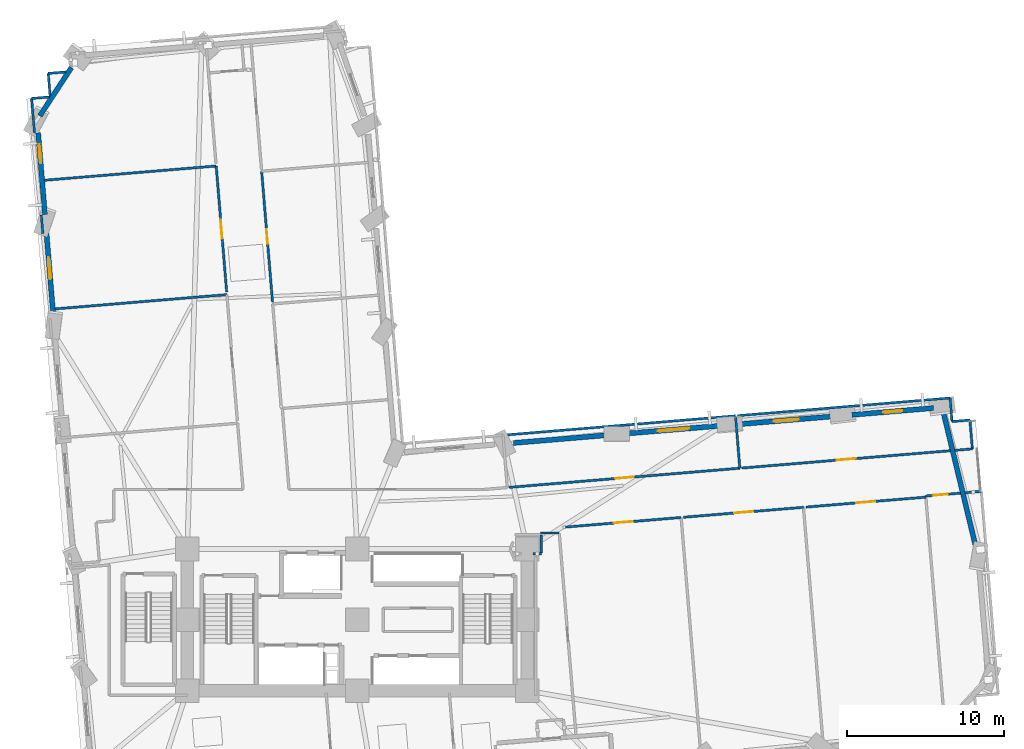
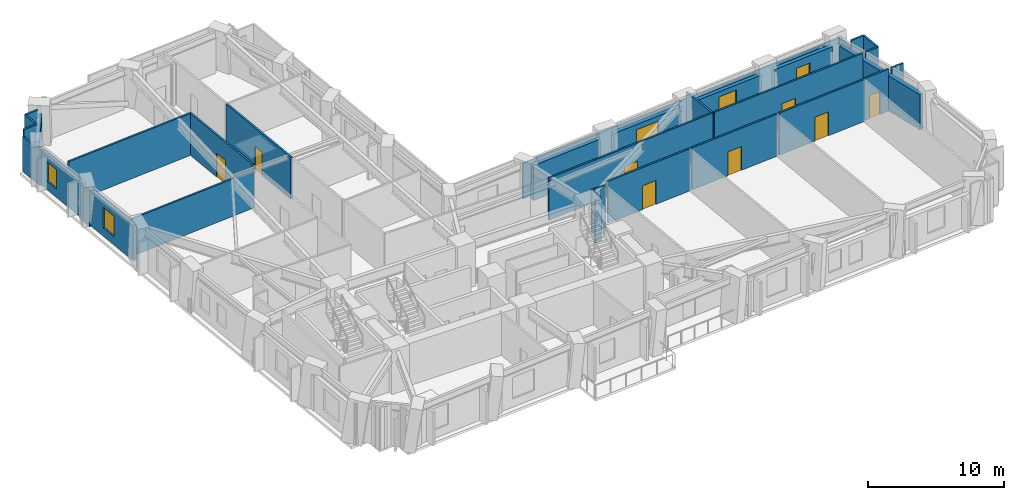
# One storey, part 9 of 14: 34 walls, 8 doors, 5 windows, 13 openings.
"""IFC4 building model written with IfcOpenShell, lengths in metres."""

from ifc_helpers import new_model, si_unit, direction, frame, frame_2d, origin, place, context, subcontext, project, spatial, rectangle, extrude, material, layer, layer_set, type_object, element, fill, save


model = new_model("IFC4")

# Units and contexts
model_context = context("Model", 3, precision=1e-05, world=origin(), true_north=direction((0.0, 1.0)))
body_context = subcontext(model_context, "Body", "Model", "MODEL_VIEW")
ifc_project = project(units=[si_unit("LENGTHUNIT", "METRE"), si_unit("AREAUNIT", "SQUARE_METRE"), si_unit("VOLUMEUNIT", "CUBIC_METRE"), si_unit("PLANEANGLEUNIT", "RADIAN"), si_unit("MASSUNIT", "GRAM", prefix="KILO")], contexts=[model_context])

# Site, building, storey
site_placement = place(None, origin())
site = spatial("IfcSite", under=ifc_project, at=site_placement, CompositionType="ELEMENT")
building_placement = place(site_placement, origin())
building = spatial("IfcBuilding", under=site, at=building_placement, Name="Gaonmaruhae Medical Tower", CompositionType="ELEMENT")
storey_placement = place(building_placement, frame((0.0, 0.0, 43.0)))
storey = spatial("IfcBuildingStorey", under=building, at=storey_placement, Name="L09", CompositionType="ELEMENT", Elevation=43.0)

# Wall
ifc_material_1 = material(Name="Precast concrete C45/55", Category="concrete")
ifc_layer_1 = layer(ifc_material_1, 0.320068359375)
ifc_layer_set_1 = layer_set([ifc_layer_1], Name="Precast concrete C45/55")
wall_type_1 = type_object("IfcWallType", Name="EW-320 Lower Precast Masonry-Frame Facade Wall", PredefinedType="SOLIDWALL", material=ifc_layer_set_1)
wall_1_placement = place(storey_placement, frame((62.05224609375, 25.4375, 0.0), z_axis=(0.0, 0.0, 1.0), x_axis=(0.234137183884, -0.972203568767, 0.0)))
element("IfcWall", 1, at=wall_1_placement, inside=storey, type_object=wall_type_1, Name="L09 Precast Masonry-Frame Wall E02-E03", PredefinedType="SOLIDWALL", context=body_context, shape_type="SweptSolid", body=[
    extrude(rectangle(XDim=8.614013671875, YDim=0.320068359375, at=frame_2d((4.30712890625, 0.0))), origin(), (0.0, 0.0, 1.0), 3.1650390625),
])

# Wall, opening, window
wall_2_placement = place(storey_placement, frame((56.2236328125, 25.3251953125, 0.0), z_axis=(0.0, 0.0, 1.0), x_axis=(0.996565124027, 0.08281276214, 0.0)))
wall_2 = element("IfcWall", 2, at=wall_2_placement, inside=storey, type_object=wall_type_1, Name="L09 Precast Masonry-Frame Wall E03-EN01", PredefinedType="SOLIDWALL", context=body_context, shape_type="SweptSolid", body=[
    extrude(rectangle(XDim=5.209228515625, YDim=0.320068359375, at=frame_2d((2.6044921875, 0.0))), origin(), (0.0, 0.0, 1.0), 3.1650390625),
])
opening_1_placement = place(wall_2_placement, frame((2.000244140625, 0.0, 0.75)))
opening_1 = element("IfcOpeningElement", 3, at=opening_1_placement, cuts=wall_2, Name="Opening WN-05", PredefinedType="OPENING", context=body_context, shape_type="SweptSolid", body=[
    extrude(rectangle(XDim=1.199951171875, YDim=1.75, at=frame_2d((0.60009765625, 0.875))), frame((0.0, 0.169921875, 0.0), z_axis=(0.0, -1.0, 0.0), x_axis=(1.0, 0.0, 0.0)), (0.0, 0.0, 1.0), 0.340087890625),
])
ifc_material_2 = material(Name="Anodised aluminium and Low-E double glazing", Category="aluminium")
window_type_1 = type_object("IfcWindowType", Name="WN-05 Support & Staff Punched Window 1200x1750", PartitioningType="SINGLE_PANEL", PredefinedType="WINDOW", material=ifc_material_2)
window_1_placement = place(opening_1_placement, origin())
window_1 = element("IfcWindow", 4, at=window_1_placement, inside=storey, type_object=window_type_1, Name="L09 Modular Facade Window E03", OverallHeight=1.75, OverallWidth=1.199951171875, PartitioningType="SINGLE_PANEL", PredefinedType="WINDOW", context=body_context, shape_type="SweptSolid", body=[
    extrude(rectangle(XDim=1.199951171875, YDim=1.75, at=frame_2d((0.60009765625, 0.875))), frame((0.0, 0.030029296875, 0.0), z_axis=(0.0, -1.0, 0.0), x_axis=(1.0, 0.0, 0.0)), (0.0, 0.0, 1.0), 0.06005859375),
])
fill(opening_1, window_1)

wall_3_placement = place(storey_placement, frame((49.064453125, 24.730224609375, 0.0), z_axis=(0.0, 0.0, 1.0), x_axis=(0.99656334349, 0.082834186251, 0.0)))
wall_3 = element("IfcWall", 5, at=wall_3_placement, inside=storey, type_object=wall_type_1, Name="L09 Precast Masonry-Frame Wall EN01-EN02", PredefinedType="SOLIDWALL", context=body_context, shape_type="SweptSolid", body=[
    extrude(rectangle(XDim=6.0244140625, YDim=0.320068359375, at=frame_2d((3.01220703125, 0.0))), origin(), (0.0, 0.0, 1.0), 3.1650390625),
])
opening_2_placement = place(wall_3_placement, frame((2.208740234375, 0.0, 0.75)))
opening_2 = element("IfcOpeningElement", 6, at=opening_2_placement, cuts=wall_3, Name="Opening WN-01", PredefinedType="OPENING", context=body_context, shape_type="SweptSolid", body=[
    extrude(rectangle(XDim=1.60009765625, YDim=1.949951171875, at=frame_2d((0.800048828125, 0.97509765625))), frame((0.0, 0.169921875, 0.0), z_axis=(0.0, -1.0, 0.0), x_axis=(1.0, 0.0, 0.0)), (0.0, 0.0, 1.0), 0.340087890625),
])
window_type_2 = type_object("IfcWindowType", Name="WN-01 Ward Punched Acoustic Window 1600x1950", PartitioningType="SINGLE_PANEL", PredefinedType="WINDOW", material=ifc_material_2)
window_2_placement = place(opening_2_placement, origin())
window_2 = element("IfcWindow", 7, at=window_2_placement, inside=storey, type_object=window_type_2, Name="L09 Modular Facade Window EN01", OverallHeight=1.949951171875, OverallWidth=1.60009765625, PartitioningType="SINGLE_PANEL", PredefinedType="WINDOW", context=body_context, shape_type="SweptSolid", body=[
    extrude(rectangle(XDim=1.60009765625, YDim=1.949951171875, at=frame_2d((0.800048828125, 0.97509765625))), frame((0.0, 0.030029296875, 0.0), z_axis=(0.0, -1.0, 0.0), x_axis=(1.0, 0.0, 0.0)), (0.0, 0.0, 1.0), 0.06005859375),
])
fill(opening_2, window_2)

wall_4_placement = place(storey_placement, frame((41.898681640625, 24.135009765625, 0.0), z_axis=(0.0, 0.0, 1.0), x_axis=(0.996568732511, 0.082769326334, 0.0)))
wall_4 = element("IfcWall", 8, at=wall_4_placement, inside=storey, type_object=wall_type_1, Name="L09 Precast Masonry-Frame Wall EN02-EN03", PredefinedType="SOLIDWALL", context=body_context, shape_type="SweptSolid", body=[
    extrude(rectangle(XDim=5.99951171875, YDim=0.320068359375, at=frame_2d((2.999755859375, 0.0))), origin(), (0.0, 0.0, 1.0), 3.1650390625),
])
opening_3_placement = place(wall_4_placement, frame((1.997802734375, 0.0, 0.75)))
opening_3 = element("IfcOpeningElement", 9, at=opening_3_placement, cuts=wall_4, Name="Opening WN-02", PredefinedType="OPENING", context=body_context, shape_type="SweptSolid", body=[
    extrude(rectangle(XDim=2.0, YDim=1.949951171875, at=frame_2d((1.0, 0.97509765625))), frame((0.0, 0.169921875, 0.0), z_axis=(0.0, -1.0, 0.0), x_axis=(1.0, 0.0, 0.0)), (0.0, 0.0, 1.0), 0.340087890625),
])
window_type_3 = type_object("IfcWindowType", Name="WN-02 Double-Bed Ward Punched Window 2000x1950", PartitioningType="SINGLE_PANEL", PredefinedType="WINDOW", material=ifc_material_2)
window_3_placement = place(opening_3_placement, origin())
window_3 = element("IfcWindow", 10, at=window_3_placement, inside=storey, type_object=window_type_3, Name="L09 Modular Facade Window EN02", OverallHeight=1.949951171875, OverallWidth=2.0, PartitioningType="SINGLE_PANEL", PredefinedType="WINDOW", context=body_context, shape_type="SweptSolid", body=[
    extrude(rectangle(XDim=2.0, YDim=1.949951171875, at=frame_2d((1.0, 0.97509765625))), frame((0.0, 0.030029296875, 0.0), z_axis=(0.0, -1.0, 0.0), x_axis=(1.0, 0.0, 0.0)), (0.0, 0.0, 1.0), 0.06005859375),
])
fill(opening_3, window_3)

# Walls
wall_5_placement = place(storey_placement, frame((34.727294921875, 23.5390625, 0.0), z_axis=(0.0, 0.0, 1.0), x_axis=(0.996564574673, 0.082819372771, 0.0)))
element("IfcWall", 11, at=wall_5_placement, inside=storey, type_object=wall_type_1, Name="L09 Precast Masonry-Frame Wall EN03-EN04", PredefinedType="SOLIDWALL", context=body_context, shape_type="SweptSolid", body=[
    extrude(rectangle(XDim=5.987060546875, YDim=0.320068359375, at=frame_2d((2.99365234375, 0.0))), origin(), (0.0, 0.0, 1.0), 3.1650390625),
])
wall_6_placement = place(storey_placement, frame((4.6298828125, 44.319091796875, 0.0), z_axis=(0.0, 0.0, 1.0), x_axis=(0.547193741188, 0.837005979432, 0.0)))
element("IfcWall", 12, at=wall_6_placement, inside=storey, type_object=wall_type_1, Name="L09 Precast Masonry-Frame Wall N03-W01", PredefinedType="SOLIDWALL", context=body_context, shape_type="SweptSolid", body=[
    extrude(rectangle(XDim=3.666259765625, YDim=0.320068359375, at=frame_2d((1.8330078125, 0.0))), origin(), (0.0, 0.0, 1.0), 3.1650390625),
])

# Wall, opening, window
wall_7_placement = place(storey_placement, frame((4.955078125, 38.039794921875, 0.0), z_axis=(0.0, 0.0, 1.0), x_axis=(-0.082778568816, 0.99656796484, 0.0)))
wall_7 = element("IfcWall", 13, at=wall_7_placement, inside=storey, type_object=wall_type_1, Name="L09 Precast Masonry-Frame Wall W01-W02", PredefinedType="SOLIDWALL", context=body_context, shape_type="SweptSolid", body=[
    extrude(rectangle(XDim=5.22314453125, YDim=0.320068359375, at=frame_2d((2.611572265625, 0.0))), origin(), (0.0, 0.0, 1.0), 3.1650390625),
])
opening_4_placement = place(wall_7_placement, frame((3.282470703125, 0.0, 0.75)))
opening_4 = element("IfcOpeningElement", 14, at=opening_4_placement, cuts=wall_7, Name="Opening WN-05", PredefinedType="OPENING", context=body_context, shape_type="SweptSolid", body=[
    extrude(rectangle(XDim=1.199951171875, YDim=1.75, at=frame_2d((0.60009765625, 0.875))), frame((0.0, 0.169921875, 0.0), z_axis=(0.0, -1.0, 0.0), x_axis=(1.0, 0.0, 0.0)), (0.0, 0.0, 1.0), 0.340087890625),
])
window_4_placement = place(opening_4_placement, origin())
window_4 = element("IfcWindow", 15, at=window_4_placement, inside=storey, type_object=window_type_1, Name="L09 Modular Facade Window W01", OverallHeight=1.75, OverallWidth=1.199951171875, PartitioningType="SINGLE_PANEL", PredefinedType="WINDOW", context=body_context, shape_type="SweptSolid", body=[
    extrude(rectangle(XDim=1.199951171875, YDim=1.75, at=frame_2d((0.60009765625, 0.875))), frame((0.0, 0.030029296875, 0.0), z_axis=(0.0, -1.0, 0.0), x_axis=(1.0, 0.0, 0.0)), (0.0, 0.0, 1.0), 0.06005859375),
])
fill(opening_4, window_4)

wall_8_placement = place(storey_placement, frame((5.5009765625, 31.4716796875, 0.0), z_axis=(0.0, 0.0, 1.0), x_axis=(-0.082813534863, 0.996565059815, 0.0)))
wall_8 = element("IfcWall", 16, at=wall_8_placement, inside=storey, type_object=wall_type_1, Name="L09 Precast Masonry-Frame Wall W02-W03", PredefinedType="SOLIDWALL", context=body_context, shape_type="SweptSolid", body=[
    extrude(rectangle(XDim=5.40087890625, YDim=0.320068359375, at=frame_2d((2.700439453125, 0.0))), origin(), (0.0, 0.0, 1.0), 3.1650390625),
])
opening_5_placement = place(wall_8_placement, frame((2.469482421875, 0.0, 0.75)))
opening_5 = element("IfcOpeningElement", 17, at=opening_5_placement, cuts=wall_8, Name="Opening WN-03", PredefinedType="OPENING", context=body_context, shape_type="SweptSolid", body=[
    extrude(rectangle(XDim=1.39990234375, YDim=1.85009765625, at=frame_2d((0.699951171875, 0.925048828125))), frame((0.0, 0.169921875, 0.0), z_axis=(0.0, -1.0, 0.0), x_axis=(1.0, 0.0, 0.0)), (0.0, 0.0, 1.0), 0.340087890625),
])
window_type_4 = type_object("IfcWindowType", Name="WN-03 Isolation Ward Punched Window 1400x1850", PartitioningType="SINGLE_PANEL", PredefinedType="WINDOW", material=ifc_material_2)
window_5_placement = place(opening_5_placement, origin())
window_5 = element("IfcWindow", 18, at=window_5_placement, inside=storey, type_object=window_type_4, Name="L09 Modular Facade Window W02", OverallHeight=1.85009765625, OverallWidth=1.39990234375, PartitioningType="SINGLE_PANEL", PredefinedType="WINDOW", context=body_context, shape_type="SweptSolid", body=[
    extrude(rectangle(XDim=1.39990234375, YDim=1.85009765625, at=frame_2d((0.699951171875, 0.925048828125))), frame((0.0, 0.030029296875, 0.0), z_axis=(0.0, -1.0, 0.0), x_axis=(1.0, 0.0, 0.0)), (0.0, 0.0, 1.0), 0.06005859375),
])
fill(opening_5, window_5)

# Walls
ifc_material_3 = material(Name="Gypsum board partition", Category="gypsum")
ifc_layer_2 = layer(ifc_material_3, 0.14990234375)
ifc_layer_set_2 = layer_set([ifc_layer_2], Name="Gypsum board partition")
wall_type_2 = type_object("IfcWallType", Name="PW-150 Rated Clinical Corridor Partition", PredefinedType="PARTITIONING", material=ifc_layer_set_2)
wall_9_placement = place(storey_placement, frame((35.97509765625, 16.5, 0.0), z_axis=(0.0, 0.0, 1.0), x_axis=(1.0, 0.0, 0.0)))
element("IfcWall", 19, at=wall_9_placement, inside=storey, type_object=wall_type_2, Name="L09 Interior Partition L09-SUP04-24", PredefinedType="PARTITIONING", context=body_context, shape_type="SweptSolid", body=[
    extrude(rectangle(XDim=0.52490234375, YDim=0.14990234375, at=frame_2d((0.262451171875, 0.0))), origin(), (0.0, 0.0, 1.0), 3.780029296875),
])
wall_10_placement = place(storey_placement, frame((36.5, 16.550048828125, 0.0), z_axis=(0.0, 0.0, 1.0), x_axis=(0.0, 1.0, 0.0)))
element("IfcWall", 20, at=wall_10_placement, inside=storey, type_object=wall_type_2, Name="L09 Interior Partition L09-SUP04-25", PredefinedType="PARTITIONING", context=body_context, shape_type="SweptSolid", body=[
    extrude(rectangle(XDim=1.14990234375, YDim=0.14990234375, at=frame_2d((0.574951171875, 0.0))), origin(), (0.0, 0.0, 1.0), 3.780029296875),
])
wall_11_placement = place(storey_placement, frame((36.449951171875, 17.820068359375, 0.0), z_axis=(0.0, 0.0, 1.0), x_axis=(1.0, 0.0, 0.0)))
element("IfcWall", 21, at=wall_11_placement, inside=storey, type_object=wall_type_2, Name="L09 Interior Partition L09-SUP04-27", PredefinedType="PARTITIONING", context=body_context, shape_type="SweptSolid", body=[
    extrude(rectangle(XDim=1.18212890625, YDim=0.14990234375, at=frame_2d((0.591064453125, 0.0))), origin(), (0.0, 0.0, 1.0), 3.780029296875),
])

# Wall, opening, door
wall_12_placement = place(storey_placement, frame((38.030029296875, 18.194091796875, 0.0), z_axis=(0.0, 0.0, 1.0), x_axis=(0.996561498978, 0.082856374255, 0.0)))
wall_12 = element("IfcWall", 22, at=wall_12_placement, inside=storey, type_object=wall_type_2, Name="L09 Interior Partition L09-SUP05-34", PredefinedType="PARTITIONING", context=body_context, shape_type="SweptSolid", body=[
    extrude(rectangle(XDim=7.372314453125, YDim=0.14990234375, at=frame_2d((3.68603515625, 0.0))), origin(), (0.0, 0.0, 1.0), 3.780029296875),
])
opening_6_placement = place(wall_12_placement, frame((3.086181640625, 0.0, 0.0)))
opening_6 = element("IfcOpeningElement", 23, at=opening_6_placement, cuts=wall_12, Name="Opening CD-02", PredefinedType="OPENING", context=body_context, shape_type="SweptSolid", body=[
    extrude(rectangle(XDim=1.199951171875, YDim=2.14990234375, at=frame_2d((0.60009765625, 1.074951171875))), frame((0.0, 0.0849609375, 0.0), z_axis=(0.0, -1.0, 0.0), x_axis=(1.0, 0.0, 0.0)), (0.0, 0.0, 1.0), 0.169921875),
])
ifc_material_4 = material(Name="Antimicrobial laminate timber fire door", Category="wood")
door_type_1 = type_object("IfcDoorType", Name="CD-02 Clinical Treatment & Procedure Door 1200x2150", OperationType="NOTDEFINED", PredefinedType="DOOR", material=ifc_material_4)
door_1_placement = place(opening_6_placement, origin())
door_1 = element("IfcDoor", 24, at=door_1_placement, inside=storey, type_object=door_type_1, Name="L09 Clinical Biomedical Charting Office Door", OperationType="SINGLE_SWING_LEFT", OverallHeight=2.14990234375, OverallWidth=1.199951171875, PredefinedType="DOOR", context=body_context, shape_type="SweptSolid", body=[
    extrude(rectangle(XDim=1.199951171875, YDim=2.14990234375, at=frame_2d((0.60009765625, 1.074951171875))), frame((0.0, 0.02490234375, 0.0), z_axis=(0.0, -1.0, 0.0), x_axis=(1.0, 0.0, 0.0)), (0.0, 0.0, 1.0), 0.050048828125),
])
fill(opening_6, door_1)

wall_13_placement = place(storey_placement, frame((45.535888671875, 18.818115234375, 0.0), z_axis=(0.0, 0.0, 1.0), x_axis=(0.996564025251, 0.082825983694, 0.0)))
wall_13 = element("IfcWall", 25, at=wall_13_placement, inside=storey, type_object=wall_type_2, Name="L09 Interior Partition L09-SUP06-36", PredefinedType="PARTITIONING", context=body_context, shape_type="SweptSolid", body=[
    extrude(rectangle(XDim=7.640380859375, YDim=0.14990234375, at=frame_2d((3.8203125, 0.0))), origin(), (0.0, 0.0, 1.0), 3.780029296875),
])
opening_7_placement = place(wall_13_placement, frame((3.22021484375, 0.0, 0.0)))
opening_7 = element("IfcOpeningElement", 26, at=opening_7_placement, cuts=wall_13, Name="Opening CD-02", PredefinedType="OPENING", context=body_context, shape_type="SweptSolid", body=[
    extrude(rectangle(XDim=1.199951171875, YDim=2.14990234375, at=frame_2d((0.60009765625, 1.074951171875))), frame((0.0, 0.0849609375, 0.0), z_axis=(0.0, -1.0, 0.0), x_axis=(1.0, 0.0, 0.0)), (0.0, 0.0, 1.0), 0.169921875),
])
door_2_placement = place(opening_7_placement, origin())
door_2 = element("IfcDoor", 27, at=door_2_placement, inside=storey, type_object=door_type_1, Name="L09 Clinical Biomedical Charting Office Door", OperationType="SINGLE_SWING_RIGHT", OverallHeight=2.14990234375, OverallWidth=1.199951171875, PredefinedType="DOOR", context=body_context, shape_type="SweptSolid", body=[
    extrude(rectangle(XDim=1.199951171875, YDim=2.14990234375, at=frame_2d((0.60009765625, 1.074951171875))), frame((0.0, 0.02490234375, 0.0), z_axis=(0.0, -1.0, 0.0), x_axis=(1.0, 0.0, 0.0)), (0.0, 0.0, 1.0), 0.050048828125),
])
fill(opening_7, door_2)

wall_14_placement = place(storey_placement, frame((53.31005859375, 19.464111328125, 0.0), z_axis=(0.0, 0.0, 1.0), x_axis=(0.996573693204, 0.082709576308, 0.0)))
wall_14 = element("IfcWall", 28, at=wall_14_placement, inside=storey, type_object=wall_type_2, Name="L09 Interior Partition L09-SUP07-40", PredefinedType="PARTITIONING", context=body_context, shape_type="SweptSolid", body=[
    extrude(rectangle(XDim=7.63916015625, YDim=0.14990234375, at=frame_2d((3.819580078125, 0.0))), origin(), (0.0, 0.0, 1.0), 3.780029296875),
])
opening_8_placement = place(wall_14_placement, frame((3.219482421875, 0.0, 0.0)))
opening_8 = element("IfcOpeningElement", 29, at=opening_8_placement, cuts=wall_14, Name="Opening CD-02", PredefinedType="OPENING", context=body_context, shape_type="SweptSolid", body=[
    extrude(rectangle(XDim=1.199951171875, YDim=2.14990234375, at=frame_2d((0.60009765625, 1.074951171875))), frame((0.0, 0.0849609375, 0.0), z_axis=(0.0, -1.0, 0.0), x_axis=(1.0, 0.0, 0.0)), (0.0, 0.0, 1.0), 0.169921875),
])
door_3_placement = place(opening_8_placement, origin())
door_3 = element("IfcDoor", 30, at=door_3_placement, inside=storey, type_object=door_type_1, Name="L09 Clinical Biomedical Charting Office Door", OperationType="SINGLE_SWING_RIGHT", OverallHeight=2.14990234375, OverallWidth=1.199951171875, PredefinedType="DOOR", context=body_context, shape_type="SweptSolid", body=[
    extrude(rectangle(XDim=1.199951171875, YDim=2.14990234375, at=frame_2d((0.60009765625, 1.074951171875))), frame((0.0, 0.02490234375, 0.0), z_axis=(0.0, -1.0, 0.0), x_axis=(1.0, 0.0, 0.0)), (0.0, 0.0, 1.0), 0.050048828125),
])
fill(opening_8, door_3)

# Walls
wall_15_placement = place(storey_placement, frame((5.587890625, 32.054931640625, 0.0), z_axis=(0.0, 0.0, 1.0), x_axis=(0.996565539079, 0.082807767273, 0.0)))
element("IfcWall", 31, at=wall_15_placement, inside=storey, type_object=wall_type_2, Name="L09 Interior Partition L09-WOF09-52", PredefinedType="PARTITIONING", context=body_context, shape_type="SweptSolid", body=[
    extrude(rectangle(XDim=10.964599609375, YDim=0.14990234375, at=frame_2d((5.482421875, 0.0))), origin(), (0.0, 0.0, 1.0), 3.364990234375),
])
wall_16_placement = place(storey_placement, frame((4.908935546875, 40.22705078125, 0.0), z_axis=(0.0, 0.0, 1.0), x_axis=(0.996565539079, 0.082807767273, 0.0)))
element("IfcWall", 32, at=wall_16_placement, inside=storey, type_object=wall_type_2, Name="L09 Interior Partition L09-WOF10-56", PredefinedType="PARTITIONING", context=body_context, shape_type="SweptSolid", body=[
    extrude(rectangle(XDim=10.964599609375, YDim=0.14990234375, at=frame_2d((5.482421875, 0.0))), origin(), (0.0, 0.0, 1.0), 3.780029296875),
])

# Wall, opening, door
wall_17_placement = place(storey_placement, frame((15.8359375, 41.135009765625, 0.0), z_axis=(0.0, 0.0, 1.0), x_axis=(0.082841912697, -0.996562701239, 0.0)))
wall_17 = element("IfcWall", 33, at=wall_17_placement, inside=storey, type_object=wall_type_2, Name="L09 Interior Partition L09-WOF10-57", PredefinedType="PARTITIONING", context=body_context, shape_type="SweptSolid", body=[
    extrude(rectangle(XDim=8.03955078125, YDim=0.14990234375, at=frame_2d((4.019775390625, 0.0))), origin(), (0.0, 0.0, 1.0), 3.780029296875),
])
opening_9_placement = place(wall_17_placement, frame((3.419921875, 0.0, 0.0)))
opening_9 = element("IfcOpeningElement", 34, at=opening_9_placement, cuts=wall_17, Name="Opening CD-02", PredefinedType="OPENING", context=body_context, shape_type="SweptSolid", body=[
    extrude(rectangle(XDim=1.199951171875, YDim=2.14990234375, at=frame_2d((0.60009765625, 1.074951171875))), frame((0.0, 0.0849609375, 0.0), z_axis=(0.0, -1.0, 0.0), x_axis=(1.0, 0.0, 0.0)), (0.0, 0.0, 1.0), 0.169921875),
])
door_4_placement = place(opening_9_placement, origin())
door_4 = element("IfcDoor", 35, at=door_4_placement, inside=storey, type_object=door_type_1, Name="L09 Ward Physician Reporting Office Door", OperationType="SINGLE_SWING_LEFT", OverallHeight=2.14990234375, OverallWidth=1.199951171875, PredefinedType="DOOR", context=body_context, shape_type="SweptSolid", body=[
    extrude(rectangle(XDim=1.199951171875, YDim=2.14990234375, at=frame_2d((0.60009765625, 1.074951171875))), frame((0.0, 0.02490234375, 0.0), z_axis=(0.0, -1.0, 0.0), x_axis=(1.0, 0.0, 0.0)), (0.0, 0.0, 1.0), 0.050048828125),
])
fill(opening_9, door_4)

# Walls
wall_18_placement = place(storey_placement, frame((4.823974609375, 36.8349609375, 0.0), z_axis=(0.0, 0.0, 1.0), x_axis=(-0.082264475924, 0.99661053376, 0.0)))
element("IfcWall", 36, at=wall_18_placement, inside=storey, type_object=wall_type_2, Name="L09 Interior Partition L09-WOF10-58", PredefinedType="PARTITIONING", context=body_context, shape_type="SweptSolid", body=[
    extrude(rectangle(XDim=1.190185546875, YDim=0.14990234375, at=frame_2d((0.59521484375, 0.0))), origin(), (0.0, 0.0, 1.0), 3.1650390625),
])
wall_19_placement = place(storey_placement, frame((5.162109375, 47.02099609375, 0.0), z_axis=(0.0, 0.0, 1.0), x_axis=(0.99651761388, 0.08338252351, 0.0)))
element("IfcWall", 37, at=wall_19_placement, inside=storey, type_object=wall_type_2, Name="L09 Interior Partition L09-WOF11-59", PredefinedType="PARTITIONING", context=body_context, shape_type="SweptSolid", body=[
    extrude(rectangle(XDim=1.138916015625, YDim=0.14990234375, at=frame_2d((0.5693359375, 0.0))), origin(), (0.0, 0.0, 1.0), 3.780029296875),
])
wall_20_placement = place(storey_placement, frame((4.29296875, 43.22607421875, 0.0), z_axis=(0.0, 0.0, 1.0), x_axis=(-0.082725557209, 0.996572366757, 0.0)))
element("IfcWall", 38, at=wall_20_placement, inside=storey, type_object=wall_type_2, Name="L09 Interior Partition L09-WOF11-64", PredefinedType="PARTITIONING", context=body_context, shape_type="SweptSolid", body=[
    extrude(rectangle(XDim=2.21044921875, YDim=0.14990234375, at=frame_2d((1.105224609375, 0.0))), origin(), (0.0, 0.0, 1.0), 3.1650390625),
])
wall_21_placement = place(storey_placement, frame((4.110107421875, 45.428955078125, 0.0), z_axis=(0.0, 0.0, 1.0), x_axis=(0.996519376551, 0.083361454871, 0.0)))
element("IfcWall", 39, at=wall_21_placement, inside=storey, type_object=wall_type_2, Name="L09 Interior Partition L09-WOF11-65", PredefinedType="PARTITIONING", context=body_context, shape_type="SweptSolid", body=[
    extrude(rectangle(XDim=1.15087890625, YDim=0.14990234375, at=frame_2d((0.575439453125, 0.0))), origin(), (0.0, 0.0, 1.0), 3.780029296875),
])
wall_22_placement = place(storey_placement, frame((5.282958984375, 45.56494140625, 0.0), z_axis=(0.0, 0.0, 1.0), x_axis=(-0.082713583752, 0.996573360603, 0.0)))
element("IfcWall", 40, at=wall_22_placement, inside=storey, type_object=wall_type_2, Name="L09 Interior Partition L09-WOF11-66", PredefinedType="PARTITIONING", context=body_context, shape_type="SweptSolid", body=[
    extrude(rectangle(XDim=1.461181640625, YDim=0.14990234375, at=frame_2d((0.73046875, 0.0))), origin(), (0.0, 0.0, 1.0), 3.780029296875),
])

# Wall, opening, door
wall_23_placement = place(storey_placement, frame((49.10693359375, 21.93408203125, 0.0), z_axis=(0.0, 0.0, 1.0), x_axis=(-0.996568963574, -0.082766544215, 0.0)))
wall_23 = element("IfcWall", 41, at=wall_23_placement, inside=storey, type_object=wall_type_2, Name="L09 Interior Partition L09-IE02-74", PredefinedType="PARTITIONING", context=body_context, shape_type="SweptSolid", body=[
    extrude(rectangle(XDim=14.70458984375, YDim=0.14990234375, at=frame_2d((7.352294921875, 0.0))), origin(), (0.0, 0.0, 1.0), 3.780029296875),
])
opening_10_placement = place(wall_23_placement, frame((6.752197265625, 0.0, 0.0)))
opening_10 = element("IfcOpeningElement", 42, at=opening_10_placement, cuts=wall_23, Name="Opening CD-02", PredefinedType="OPENING", context=body_context, shape_type="SweptSolid", body=[
    extrude(rectangle(XDim=1.199951171875, YDim=2.14990234375, at=frame_2d((0.60009765625, 1.074951171875))), frame((0.0, 0.0849609375, 0.0), z_axis=(0.0, -1.0, 0.0), x_axis=(1.0, 0.0, 0.0)), (0.0, 0.0, 1.0), 0.169921875),
])
door_5_placement = place(opening_10_placement, origin())
door_5 = element("IfcDoor", 43, at=door_5_placement, inside=storey, type_object=door_type_1, Name="L09 Acute Treatment Examination Room Door", OperationType="SINGLE_SWING_LEFT", OverallHeight=2.14990234375, OverallWidth=1.199951171875, PredefinedType="DOOR", context=body_context, shape_type="SweptSolid", body=[
    extrude(rectangle(XDim=1.199951171875, YDim=2.14990234375, at=frame_2d((0.60009765625, 1.074951171875))), frame((0.0, 0.02490234375, 0.0), z_axis=(0.0, -1.0, 0.0), x_axis=(1.0, 0.0, 0.0)), (0.0, 0.0, 1.0), 0.050048828125),
])
fill(opening_10, door_5)

# Walls
wall_24_placement = place(storey_placement, frame((34.176025390625, 24.044921875, 0.0), z_axis=(0.0, 0.0, 1.0), x_axis=(0.99656348355, 0.082832501198, 0.0)))
element("IfcWall", 44, at=wall_24_placement, inside=storey, type_object=wall_type_2, Name="L09 Interior Partition L09-IE02-75", PredefinedType="PARTITIONING", context=body_context, shape_type="SweptSolid", body=[
    extrude(rectangle(XDim=14.70458984375, YDim=0.14990234375, at=frame_2d((7.352294921875, 0.0))), origin(), (0.0, 0.0, 1.0), 3.1650390625),
])
wall_25_placement = place(storey_placement, frame((48.830078125, 25.262939453125, 0.0), z_axis=(0.0, 0.0, 1.0), x_axis=(0.082882164129, -0.996559354414, 0.0)))
element("IfcWall", 45, at=wall_25_placement, inside=storey, type_object=wall_type_2, Name="L09 Interior Partition L09-IE02-76", PredefinedType="PARTITIONING", context=body_context, shape_type="SweptSolid", body=[
    extrude(rectangle(XDim=3.34033203125, YDim=0.14990234375, at=frame_2d((1.670166015625, 0.0))), origin(), (0.0, 0.0, 1.0), 3.780029296875),
])
wall_26_placement = place(storey_placement, frame((62.591064453125, 24.90087890625, 0.0), z_axis=(0.0, 0.0, 1.0), x_axis=(0.996576707812, 0.08267324505, 0.0)))
element("IfcWall", 46, at=wall_26_placement, inside=storey, type_object=wall_type_2, Name="L09 Interior Partition L09-IE03-77", PredefinedType="PARTITIONING", context=body_context, shape_type="SweptSolid", body=[
    extrude(rectangle(XDim=1.139892578125, YDim=0.14990234375, at=frame_2d((0.56982421875, 0.0))), origin(), (0.0, 0.0, 1.0), 3.780029296875),
])
wall_27_placement = place(storey_placement, frame((63.72705078125, 24.9951171875, 0.0), z_axis=(0.0, 0.0, 1.0), x_axis=(0.083089418212, -0.99654209574, 0.0)))
element("IfcWall", 47, at=wall_27_placement, inside=storey, type_object=wall_type_2, Name="L09 Interior Partition L09-IE03-78", PredefinedType="PARTITIONING", context=body_context, shape_type="SweptSolid", body=[
    extrude(rectangle(XDim=1.83935546875, YDim=0.14990234375, at=frame_2d((0.919677734375, 0.0))), origin(), (0.0, 0.0, 1.0), 3.780029296875),
])
wall_28_placement = place(storey_placement, frame((63.8798828125, 23.162109375, 0.0), z_axis=(0.0, 0.0, 1.0), x_axis=(-0.996556256846, -0.082919400275, 0.0)))
element("IfcWall", 48, at=wall_28_placement, inside=storey, type_object=wall_type_2, Name="L09 Interior Partition L09-IE03-79", PredefinedType="PARTITIONING", context=body_context, shape_type="SweptSolid", body=[
    extrude(rectangle(XDim=1.121826171875, YDim=0.14990234375, at=frame_2d((0.56103515625, 0.0))), origin(), (0.0, 0.0, 1.0), 3.780029296875),
])

# Wall, opening, door
wall_29_placement = place(storey_placement, frame((62.489013671875, 23.0458984375, 0.0), z_axis=(0.0, 0.0, 1.0), x_axis=(-0.996567106094, -0.082788906577, 0.0)))
wall_29 = element("IfcWall", 49, at=wall_29_placement, inside=storey, type_object=wall_type_2, Name="L09 Interior Partition L09-IE03-80", PredefinedType="PARTITIONING", context=body_context, shape_type="SweptSolid", body=[
    extrude(rectangle(XDim=13.30859375, YDim=0.14990234375, at=frame_2d((6.654296875, 0.0))), origin(), (0.0, 0.0, 1.0), 3.780029296875),
])
opening_11_placement = place(wall_29_placement, frame((6.054443359375, 0.0, 0.0)))
opening_11 = element("IfcOpeningElement", 50, at=opening_11_placement, cuts=wall_29, Name="Opening CD-02", PredefinedType="OPENING", context=body_context, shape_type="SweptSolid", body=[
    extrude(rectangle(XDim=1.199951171875, YDim=2.14990234375, at=frame_2d((0.60009765625, 1.074951171875))), frame((0.0, 0.0849609375, 0.0), z_axis=(0.0, -1.0, 0.0), x_axis=(1.0, 0.0, 0.0)), (0.0, 0.0, 1.0), 0.169921875),
])
door_6_placement = place(opening_11_placement, origin())
door_6 = element("IfcDoor", 51, at=door_6_placement, inside=storey, type_object=door_type_1, Name="L09 Clean Medication Preparation Room Door", OperationType="SINGLE_SWING_LEFT", OverallHeight=2.14990234375, OverallWidth=1.199951171875, PredefinedType="DOOR", context=body_context, shape_type="SweptSolid", body=[
    extrude(rectangle(XDim=1.199951171875, YDim=2.14990234375, at=frame_2d((0.60009765625, 1.074951171875))), frame((0.0, 0.02490234375, 0.0), z_axis=(0.0, -1.0, 0.0), x_axis=(1.0, 0.0, 0.0)), (0.0, 0.0, 1.0), 0.050048828125),
])
fill(opening_11, door_6)

# Walls
wall_30_placement = place(storey_placement, frame((48.949951171875, 25.27294921875, 0.0), z_axis=(0.0, 0.0, 1.0), x_axis=(0.996566334014, 0.082798199915, 0.0)))
element("IfcWall", 52, at=wall_30_placement, inside=storey, type_object=wall_type_2, Name="L09 Interior Partition L09-IE03-81", PredefinedType="PARTITIONING", context=body_context, shape_type="SweptSolid", body=[
    extrude(rectangle(XDim=13.563720703125, YDim=0.14990234375, at=frame_2d((6.78173828125, 0.0))), origin(), (0.0, 0.0, 1.0), 3.1650390625),
])
wall_31_placement = place(storey_placement, frame((62.467041015625, 26.39599609375, 0.0), z_axis=(0.0, 0.0, 1.0), x_axis=(0.082668382184, -0.99657711121, 0.0)))
element("IfcWall", 53, at=wall_31_placement, inside=storey, type_object=wall_type_2, Name="L09 Interior Partition L09-IE03-82", PredefinedType="PARTITIONING", context=body_context, shape_type="SweptSolid", body=[
    extrude(rectangle(XDim=1.500244140625, YDim=0.14990234375, at=frame_2d((0.75, 0.0))), origin(), (0.0, 0.0, 1.0), 3.1650390625),
])

# Wall, opening, door
wall_32_placement = place(storey_placement, frame((19.4140625, 32.491943359375, 0.0), z_axis=(0.0, 0.0, 1.0), x_axis=(-0.082730519486, 0.996571954826, 0.0)))
wall_32 = element("IfcWall", 54, at=wall_32_placement, inside=storey, type_object=wall_type_2, Name="L09 Interior Partition L09-IN02-86", PredefinedType="PARTITIONING", context=body_context, shape_type="SweptSolid", body=[
    extrude(rectangle(XDim=8.339599609375, YDim=0.14990234375, at=frame_2d((4.169921875, 0.0))), origin(), (0.0, 0.0, 1.0), 3.780029296875),
])
opening_12_placement = place(wall_32_placement, frame((3.709716796875, 0.0, 0.0)))
opening_12 = element("IfcOpeningElement", 55, at=opening_12_placement, cuts=wall_32, Name="Opening UD-01", PredefinedType="OPENING", context=body_context, shape_type="SweptSolid", body=[
    extrude(rectangle(XDim=0.919921875, YDim=2.10009765625, at=frame_2d((0.4599609375, 1.050048828125))), frame((0.0, 0.0849609375, 0.0), z_axis=(0.0, -1.0, 0.0), x_axis=(1.0, 0.0, 0.0)), (0.0, 0.0, 1.0), 0.169921875),
])
ifc_material_5 = material(Name="Powder-coated steel utility door", Category="steel")
door_type_2 = type_object("IfcDoorType", Name="UD-01 Toilet, Utility & Housekeeping Door 920x2100", OperationType="NOTDEFINED", PredefinedType="DOOR", material=ifc_material_5)
door_7_placement = place(opening_12_placement, origin())
door_7 = element("IfcDoor", 56, at=door_7_placement, inside=storey, type_object=door_type_2, Name="L09 Ward Nutrition Pantry Door", OperationType="SINGLE_SWING_LEFT", OverallHeight=2.10009765625, OverallWidth=0.919921875, PredefinedType="DOOR", context=body_context, shape_type="SweptSolid", body=[
    extrude(rectangle(XDim=0.919921875, YDim=2.10009765625, at=frame_2d((0.4599609375, 1.050048828125))), frame((0.0, 0.02490234375, 0.0), z_axis=(0.0, -1.0, 0.0), x_axis=(1.0, 0.0, 0.0)), (0.0, 0.0, 1.0), 0.050048828125),
])
fill(opening_12, door_7)

wall_33_placement = place(storey_placement, frame((60.9169921875, 20.1669921875, 0.0), z_axis=(0.0, 0.0, 1.0), x_axis=(0.996582679805, 0.082601224643, 0.0)))
wall_33 = element("IfcWall", 57, at=wall_33_placement, inside=storey, type_object=wall_type_2, Name="L09 Interior Partition L09-RM03-104", PredefinedType="PARTITIONING", context=body_context, shape_type="SweptSolid", body=[
    extrude(rectangle(XDim=2.228515625, YDim=0.14990234375, at=frame_2d((1.1142578125, 0.0))), origin(), (0.0, 0.0, 1.0), 3.780029296875),
])
opening_13_placement = place(wall_33_placement, frame((0.4970703125, 0.0, 0.0)))
opening_13 = element("IfcOpeningElement", 58, at=opening_13_placement, cuts=wall_33, Name="Opening UD-01", PredefinedType="OPENING", context=body_context, shape_type="SweptSolid", body=[
    extrude(rectangle(XDim=0.919921875, YDim=2.10009765625, at=frame_2d((0.4599609375, 1.050048828125))), frame((0.0, 0.0849609375, 0.0), z_axis=(0.0, -1.0, 0.0), x_axis=(1.0, 0.0, 0.0)), (0.0, 0.0, 1.0), 0.169921875),
])
door_8_placement = place(opening_13_placement, origin())
door_8 = element("IfcDoor", 59, at=door_8_placement, inside=storey, type_object=door_type_2, Name="L09 Biomedical Mobile Equipment Bay Door", OperationType="SINGLE_SWING_RIGHT", OverallHeight=2.10009765625, OverallWidth=0.919921875, PredefinedType="DOOR", context=body_context, shape_type="SweptSolid", body=[
    extrude(rectangle(XDim=0.919921875, YDim=2.10009765625, at=frame_2d((0.4599609375, 1.050048828125))), frame((0.0, 0.02490234375, 0.0), z_axis=(0.0, -1.0, 0.0), x_axis=(1.0, 0.0, 0.0)), (0.0, 0.0, 1.0), 0.050048828125),
])
fill(opening_13, door_8)

# Wall
wall_34_placement = place(storey_placement, frame((63.410888671875, 20.373046875, 0.0), z_axis=(0.0, 0.0, 1.0), x_axis=(0.99654257423, 0.083083679185, 0.0)))
element("IfcWall", 60, at=wall_34_placement, inside=storey, type_object=wall_type_2, Name="L09 Interior Partition L09-RM03-105", PredefinedType="PARTITIONING", context=body_context, shape_type="SweptSolid", body=[
    extrude(rectangle(XDim=1.057861328125, YDim=0.14990234375, at=frame_2d((0.52880859375, 0.0))), origin(), (0.0, 0.0, 1.0), 3.780029296875),
])

save(model, "model.ifc")
